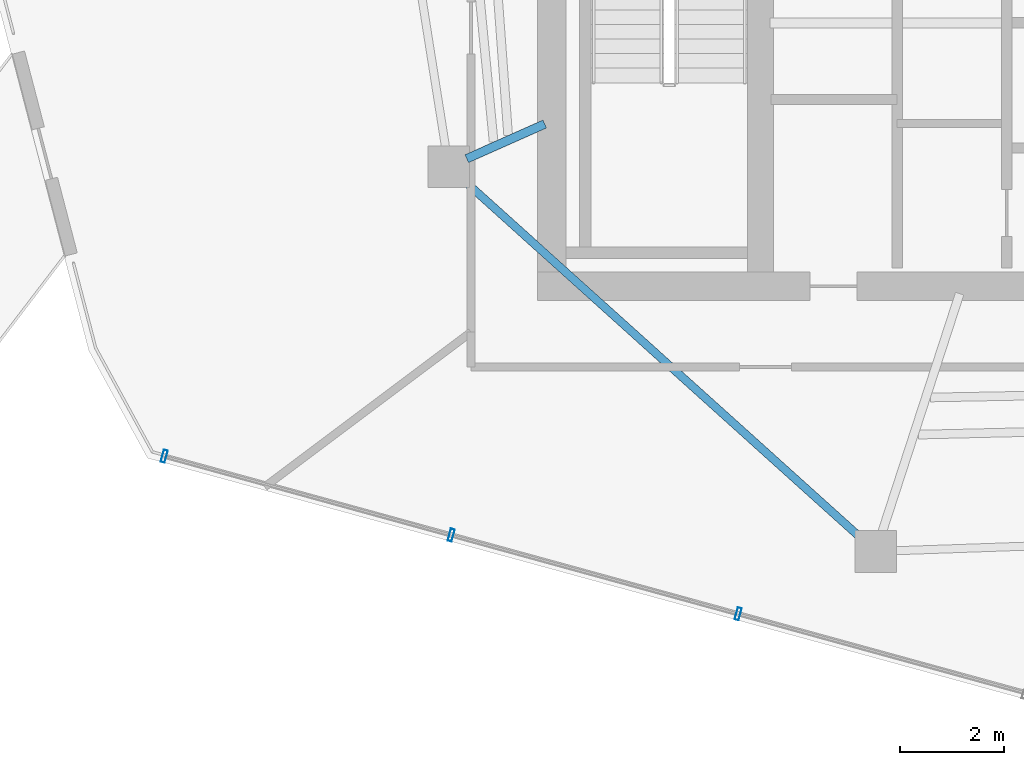
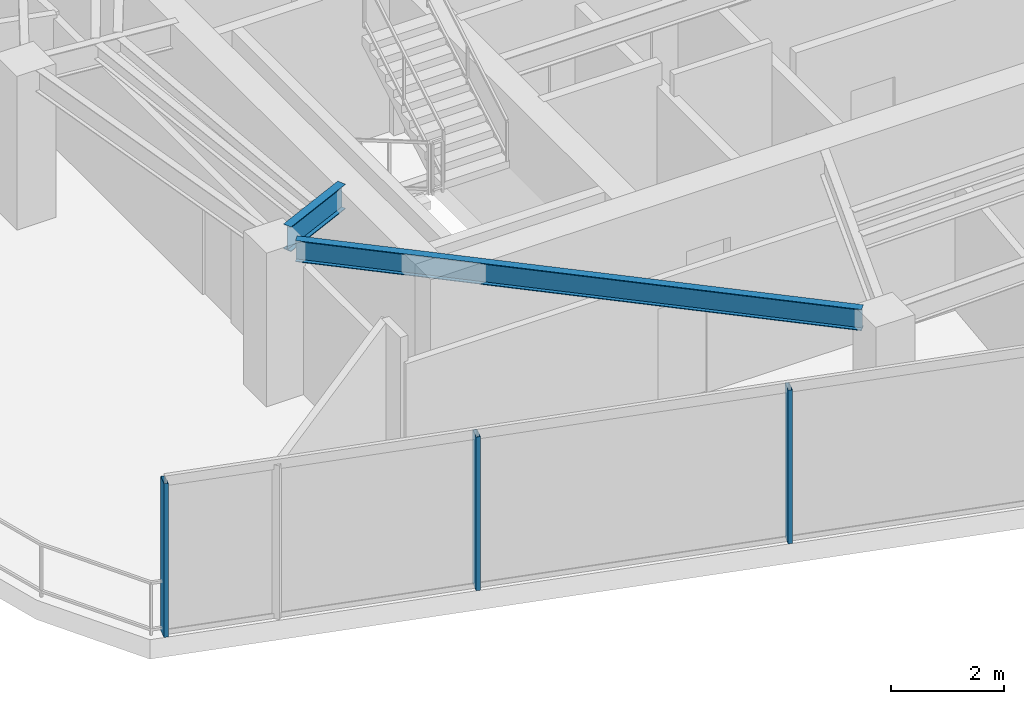
# One storey, part 2 of 19: 3 members, 2 beams, 1 element without a shape of its own.
"""IFC4 building model written with IfcOpenShell, lengths in metres."""

from ifc_helpers import new_model, si_unit, direction, frame, origin, origin_2d, place, context, subcontext, project, spatial, hollow_rectangle, i_section, extrude, material, layer, layer_set, material_profile, profile_set, type_object, element, aggregate, save


model = new_model("IFC4")

# Units and contexts
model_context = context("Model", 3, precision=1e-05, world=origin(), true_north=direction((0.0, 1.0)))
body_context = subcontext(model_context, "Body", "Model", "MODEL_VIEW")
ifc_project = project(units=[si_unit("LENGTHUNIT", "METRE"), si_unit("AREAUNIT", "SQUARE_METRE"), si_unit("VOLUMEUNIT", "CUBIC_METRE"), si_unit("PLANEANGLEUNIT", "RADIAN"), si_unit("MASSUNIT", "GRAM", prefix="KILO")], contexts=[model_context])

# Site, building, storey
site_placement = place(None, origin())
site = spatial("IfcSite", under=ifc_project, at=site_placement, CompositionType="ELEMENT")
building_placement = place(site_placement, origin())
building = spatial("IfcBuilding", under=site, at=building_placement, Name="Qarnah Convention Tower", CompositionType="ELEMENT")
storey_placement = place(building_placement, frame((0.0, 0.0, 235.5)))
storey = spatial("IfcBuildingStorey", under=building, at=storey_placement, Name="L63", CompositionType="ELEMENT", Elevation=235.5)

# Beams
ifc_material_1 = material(Name="Structural steel S355JR", Category="steel")
ifc_material_profile_1 = material_profile(ifc_material_1, i_section(OverallWidth=0.166015625, OverallDepth=0.535888671875, WebThickness=0.010009765625, FlangeThickness=0.01708984375, at=origin_2d()), Name="W530X85")
ifc_profile_set_1 = profile_set([ifc_material_profile_1], Name="Structural steel S355JR")
beam_type_1 = type_object("IfcBeamType", Name="BM-RAD-W530B", PredefinedType="BEAM", material=ifc_profile_set_1)
beam_1_placement = place(storey_placement, frame((26.6630859375, 21.708984375, 3.052001953125), z_axis=(-0.913688456795, -0.406415309652, 0.0), x_axis=(0.406415309652, -0.913688456795, 0.0)))
element("IfcBeam", 1, at=beam_1_placement, inside=storey, type_object=beam_type_1, Name="L63 beam BM-L63-RAD-06", PredefinedType="BEAM", context=body_context, shape_type="SweptSolid", body=[
    extrude(i_section(OverallWidth=0.166015625, OverallDepth=0.535888671875, WebThickness=0.010009765625, FlangeThickness=0.01708984375, at=origin_2d()), origin(), (0.0, 0.0, 1.0), 1.636474609375),
])
ifc_material_profile_2 = material_profile(ifc_material_1, i_section(OverallWidth=0.154052734375, OverallDepth=0.4599609375, WebThickness=0.009033203125, FlangeThickness=0.014892578125, at=origin_2d()), Name="W460X68")
ifc_profile_set_2 = profile_set([ifc_material_profile_2], Name="Structural steel S355JR")
beam_type_2 = type_object("IfcBeamType", Name="BM-SPN-W460B", PredefinedType="SPANDREL", material=ifc_profile_set_2)
beam_2_placement = place(storey_placement, frame((25.111083984375, 20.6279296875, 3.090087890625), z_axis=(0.743130570512, -0.669146437762, 0.0), x_axis=(0.669146437762, 0.743130570512, 0.0)))
element("IfcBeam", 2, at=beam_2_placement, inside=storey, type_object=beam_type_2, Name="L63 spandrel BM-L63-SPN-06", PredefinedType="SPANDREL", context=body_context, shape_type="SweptSolid", body=[
    extrude(i_section(OverallWidth=0.154052734375, OverallDepth=0.4599609375, WebThickness=0.009033203125, FlangeThickness=0.014892578125, at=origin_2d()), origin(), (0.0, 0.0, 1.0), 10.242919921875),
])

# Curtain wall, members
ifc_material_2 = material(Name="Tempered Low-E dark glass", Category="glass")
ifc_layer = layer(ifc_material_2, 0.176025390625)
ifc_layer_set = layer_set([ifc_layer], Name="Tempered Low-E dark glass")
curtain_wall_type = type_object("IfcCurtainWallType", Name="CWS-05", PredefinedType="NOTDEFINED", material=ifc_layer_set)
curtain_wall_placement = place(storey_placement, origin())
curtain_wall = element("IfcCurtainWall", 3, at=curtain_wall_placement, inside=storey, type_object=curtain_wall_type, Name="L63 unitised curtain wall CW-L63-F1", PredefinedType="NOTDEFINED")
ifc_material_3 = material(Name="Black anodised aluminium", Category="aluminium")
ifc_material_profile_3 = material_profile(ifc_material_3, hollow_rectangle(XDim=0.080078125, YDim=0.239990234375, WallThickness=0.0048828125, at=origin_2d()), Name="MUL-80X240")
ifc_profile_set_3 = profile_set([ifc_material_profile_3], Name="Black anodised aluminium")
member_type = type_object("IfcMemberType", Name="MUL-T5", PredefinedType="MULLION", material=ifc_profile_set_3)
member_1_placement = place(storey_placement, frame((30.37255859375, 12.31591796875, 0.0), z_axis=(0.0, 0.0, 1.0), x_axis=(-0.964280174079, 0.264884400972, 0.0)))
member_1 = element("IfcMember", 4, at=member_1_placement, type_object=member_type, Name="CW-L63-F1 mullion 4", PredefinedType="MULLION", context=body_context, shape_type="SweptSolid", body=[
    extrude(hollow_rectangle(XDim=0.080078125, YDim=0.239990234375, WallThickness=0.0048828125, at=origin_2d()), origin(), (0.0, 0.0, 1.0), 3.320068359375),
])
member_2_placement = place(storey_placement, frame((24.869873046875, 13.827392578125, 0.0), z_axis=(0.0, 0.0, 1.0), x_axis=(-0.964280174079, 0.264884400972, 0.0)))
member_2 = element("IfcMember", 5, at=member_2_placement, type_object=member_type, Name="CW-L63-F1 mullion 5", PredefinedType="MULLION", context=body_context, shape_type="SweptSolid", body=[
    extrude(hollow_rectangle(XDim=0.080078125, YDim=0.239990234375, WallThickness=0.0048828125, at=origin_2d()), origin(), (0.0, 0.0, 1.0), 3.320068359375),
])
member_3_placement = place(storey_placement, frame((19.366943359375, 15.339111328125, 0.0), z_axis=(0.0, 0.0, 1.0), x_axis=(-0.964280174079, 0.264884400972, 0.0)))
member_3 = element("IfcMember", 6, at=member_3_placement, type_object=member_type, Name="CW-L63-F1 mullion 6", PredefinedType="MULLION", context=body_context, shape_type="SweptSolid", body=[
    extrude(hollow_rectangle(XDim=0.080078125, YDim=0.239990234375, WallThickness=0.0048828125, at=origin_2d()), origin(), (0.0, 0.0, 1.0), 3.320068359375),
])
aggregate(curtain_wall, [member_1, member_2, member_3])

save(model, "model.ifc")
